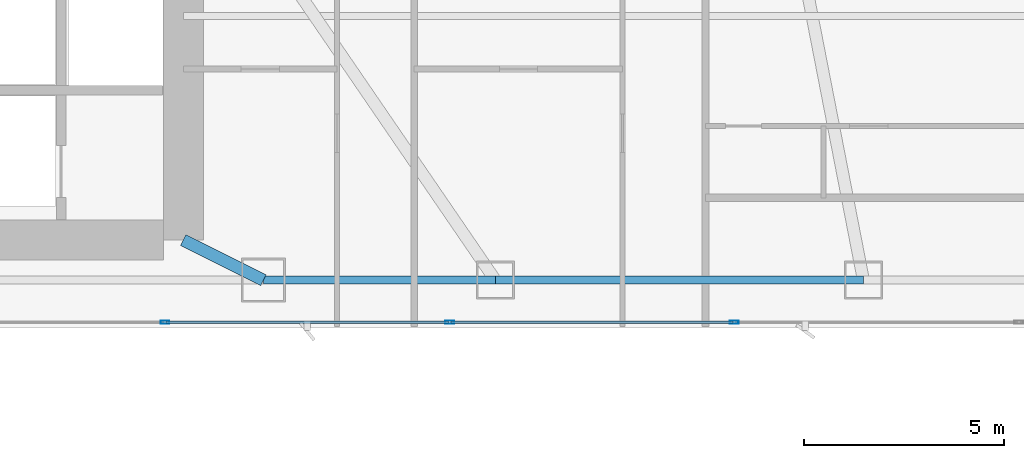
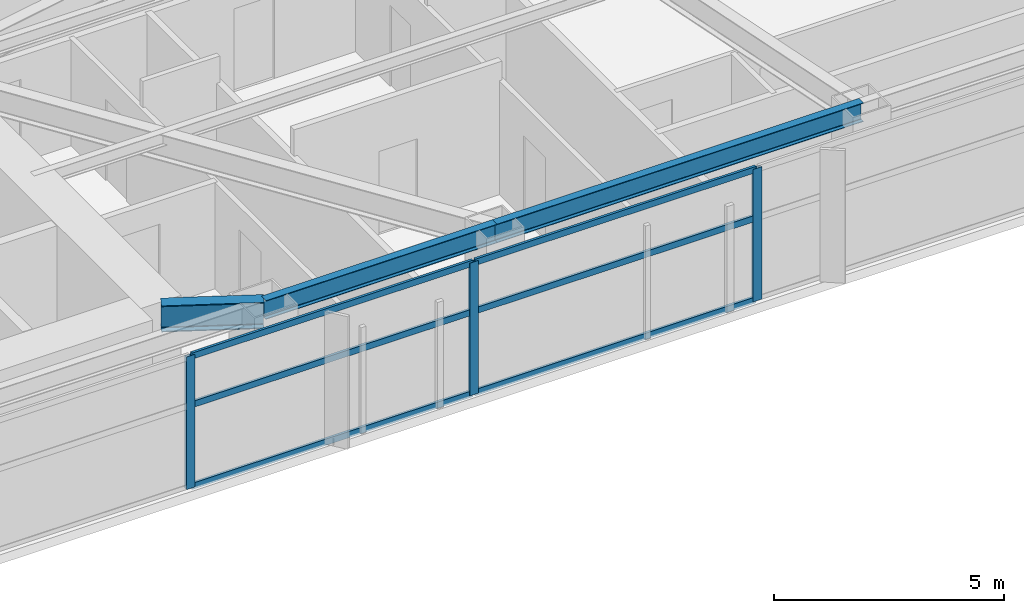
# One storey, part 11 of 28: 9 members, 3 beams, 1 element without a shape of its own.
"""IFC4 building model written with IfcOpenShell, lengths in metres."""

from ifc_helpers import new_model, si_unit, direction, frame, origin, origin_2d, place, context, subcontext, project, spatial, hollow_rectangle, i_section, extrude, material, layer, layer_set, material_profile, profile_set, type_object, element, aggregate, save


model = new_model("IFC4")

# Units and contexts
model_context = context("Model", 3, precision=1e-05, world=origin(), true_north=direction((0.0, 1.0)))
body_context = subcontext(model_context, "Body", "Model", "MODEL_VIEW")
ifc_project = project(units=[si_unit("LENGTHUNIT", "METRE"), si_unit("AREAUNIT", "SQUARE_METRE"), si_unit("VOLUMEUNIT", "CUBIC_METRE"), si_unit("PLANEANGLEUNIT", "RADIAN"), si_unit("MASSUNIT", "GRAM", prefix="KILO")], contexts=[model_context])

# Site, building, storey
site_placement = place(None, origin())
site = spatial("IfcSite", under=ifc_project, at=site_placement, CompositionType="ELEMENT")
building_placement = place(site_placement, origin())
building = spatial("IfcBuilding", under=site, at=building_placement, Name="Calvorn Quay Hotel", CompositionType="ELEMENT")
storey_placement = place(building_placement, frame((0.0, 0.0, 88.800048828125)))
storey = spatial("IfcBuildingStorey", under=building, at=storey_placement, Name="L21", CompositionType="ELEMENT", Elevation=88.800048828125)

# Beams
ifc_material_1 = material(Name="Steel Q390GJC", Category="steel")
ifc_material_profile_1 = material_profile(ifc_material_1, i_section(OverallWidth=0.300048828125, OverallDepth=0.699951171875, WebThickness=0.012939453125, FlangeThickness=0.02392578125, FilletRadius=0.02392578125, at=origin_2d()), Name="HN700x300x13x24")
ifc_profile_set_1 = profile_set([ifc_material_profile_1], Name="Steel Q390GJC")
beam_type_1 = type_object("IfcBeamType", Name="BM-GIRD-MAIN", PredefinedType="BEAM", material=ifc_profile_set_1)
beam_1_placement = place(storey_placement, frame((34.39990234375, 3.60009765625, 3.169921875), z_axis=(-0.894427191, 0.4472135955, 0.0), x_axis=(-0.4472135955, -0.894427191, 0.0)))
element("IfcBeam", 1, at=beam_1_placement, inside=storey, type_object=beam_type_1, Name="Beam BG-L21-S3", PredefinedType="BEAM", context=body_context, shape_type="SweptSolid", body=[
    extrude(i_section(OverallWidth=0.300048828125, OverallDepth=0.699951171875, WebThickness=0.012939453125, FlangeThickness=0.02392578125, FilletRadius=0.02392578125, at=origin_2d()), origin(), (0.0, 0.0, 1.0), 2.236083984375),
])
ifc_material_2 = material(Name="Steel Q355B", Category="steel")
ifc_material_profile_2 = material_profile(ifc_material_2, i_section(OverallWidth=0.199951171875, OverallDepth=0.5, WebThickness=0.010009765625, FlangeThickness=0.01611328125, FilletRadius=0.01611328125, at=origin_2d()), Name="HN500x200x10x16")
ifc_profile_set_2 = profile_set([ifc_material_profile_2], Name="Steel Q355B")
beam_type_2 = type_object("IfcBeamType", Name="BM-SPANDREL-Z1", PredefinedType="SPANDREL", material=ifc_profile_set_2)
beam_2_placement = place(storey_placement, frame((34.39990234375, 3.60009765625, 3.27001953125), z_axis=(1.0, 0.0, 0.0), x_axis=(0.0, 1.0, 0.0)))
element("IfcBeam", 2, at=beam_2_placement, inside=storey, type_object=beam_type_2, Name="Beam BSP-L21-S4", PredefinedType="SPANDREL", context=body_context, shape_type="SweptSolid", body=[
    extrude(i_section(OverallWidth=0.199951171875, OverallDepth=0.5, WebThickness=0.010009765625, FlangeThickness=0.01611328125, FilletRadius=0.01611328125, at=origin_2d()), origin(), (0.0, 0.0, 1.0), 5.800048828125),
])
beam_3_placement = place(storey_placement, frame((40.199951171875, 3.60009765625, 3.27001953125), z_axis=(1.0, 0.0, 0.0), x_axis=(0.0, 1.0, 0.0)))
element("IfcBeam", 3, at=beam_3_placement, inside=storey, type_object=beam_type_2, Name="Beam BSP-L21-S5", PredefinedType="SPANDREL", context=body_context, shape_type="SweptSolid", body=[
    extrude(i_section(OverallWidth=0.199951171875, OverallDepth=0.5, WebThickness=0.010009765625, FlangeThickness=0.01611328125, FilletRadius=0.01611328125, at=origin_2d()), origin(), (0.0, 0.0, 1.0), 9.199951171875),
])

# Curtain wall, members
ifc_material_3 = material(Name="Pale Anodised Aluminium and Low-E Glass", Category="aluminium")
ifc_layer = layer(ifc_material_3, 0.219970703125)
ifc_layer_set = layer_set([ifc_layer], Name="CW-SYS-Z1")
curtain_wall_type = type_object("IfcCurtainWallType", Name="CW-SYS-Z1", PredefinedType="NOTDEFINED", material=ifc_layer_set)
curtain_wall_placement = place(storey_placement, origin())
curtain_wall = element("IfcCurtainWall", 4, at=curtain_wall_placement, inside=storey, type_object=curtain_wall_type, Name="Tower South Waterfront Curtain Wall (L21)", PredefinedType="NOTDEFINED")
ifc_material_4 = material(Name="Pale Anodised Aluminium 6063-T6", Category="aluminium")
ifc_material_profile_3 = material_profile(ifc_material_4, hollow_rectangle(XDim=0.074951171875, YDim=0.219970703125, WallThickness=0.00439453125, at=origin_2d()), Name="ALU-M220x75x4.5")
ifc_profile_set_3 = profile_set([ifc_material_profile_3], Name="Pale Anodised Aluminium 6063-T6")
member_type_1 = type_object("IfcMemberType", Name="CW-SYS-Z1-MUL", PredefinedType="MULLION", material=ifc_profile_set_3)
member_1_placement = place(storey_placement, frame((31.94287109375, 2.550048828125, 0.0), z_axis=(0.0, 0.0, 1.0), x_axis=(0.0, 1.0, 0.0)))
member_1 = element("IfcMember", 5, at=member_1_placement, type_object=member_type_1, Name="CW-L21-S mullion 4", PredefinedType="MULLION", context=body_context, shape_type="SweptSolid", body=[
    extrude(hollow_rectangle(XDim=0.074951171875, YDim=0.219970703125, WallThickness=0.00439453125, at=origin_2d()), origin(), (0.0, 0.0, 1.0), 3.52001953125),
])
member_2_placement = place(storey_placement, frame((39.05712890625, 2.550048828125, 0.0), z_axis=(0.0, 0.0, 1.0), x_axis=(0.0, 1.0, 0.0)))
member_2 = element("IfcMember", 6, at=member_2_placement, type_object=member_type_1, Name="CW-L21-S mullion 5", PredefinedType="MULLION", context=body_context, shape_type="SweptSolid", body=[
    extrude(hollow_rectangle(XDim=0.074951171875, YDim=0.219970703125, WallThickness=0.00439453125, at=origin_2d()), origin(), (0.0, 0.0, 1.0), 3.52001953125),
])
member_3_placement = place(storey_placement, frame((46.17138671875, 2.550048828125, 0.0), z_axis=(0.0, 0.0, 1.0), x_axis=(0.0, 1.0, 0.0)))
member_3 = element("IfcMember", 7, at=member_3_placement, type_object=member_type_1, Name="CW-L21-S mullion 6", PredefinedType="MULLION", context=body_context, shape_type="SweptSolid", body=[
    extrude(hollow_rectangle(XDim=0.074951171875, YDim=0.219970703125, WallThickness=0.00439453125, at=origin_2d()), origin(), (0.0, 0.0, 1.0), 3.52001953125),
])
ifc_material_5 = material(Name="Pale Anodised Aluminium 6063-T6", Category="aluminium")
ifc_material_profile_4 = material_profile(ifc_material_5, hollow_rectangle(XDim=0.06494140625, YDim=0.1650390625, WallThickness=0.00341796875, at=origin_2d()), Name="ALU-T165x65x3.5")
ifc_profile_set_4 = profile_set([ifc_material_profile_4], Name="Pale Anodised Aluminium 6063-T6")
member_type_2 = type_object("IfcMemberType", Name="CW-SYS-Z1-TRN", PredefinedType="USERDEFINED", material=ifc_profile_set_4)
member_4_placement = place(storey_placement, frame((31.972900390625, 2.550048828125, 0.030029296875), z_axis=(1.0, 0.0, 0.0), x_axis=(0.0, 1.0, 0.0)))
member_4 = element("IfcMember", 8, at=member_4_placement, type_object=member_type_2, Name="CW-L21-S transom 4.1", ObjectType="TRANSOM", PredefinedType="USERDEFINED", context=body_context, shape_type="SweptSolid", body=[
    extrude(hollow_rectangle(XDim=0.06494140625, YDim=0.1650390625, WallThickness=0.00341796875, at=origin_2d()), origin(), (0.0, 0.0, 1.0), 7.05419921875),
])
member_5_placement = place(storey_placement, frame((31.972900390625, 2.550048828125, 2.199951171875), z_axis=(1.0, 0.0, 0.0), x_axis=(0.0, 1.0, 0.0)))
member_5 = element("IfcMember", 9, at=member_5_placement, type_object=member_type_2, Name="CW-L21-S transom 4.2", ObjectType="TRANSOM", PredefinedType="USERDEFINED", context=body_context, shape_type="SweptSolid", body=[
    extrude(hollow_rectangle(XDim=0.06494140625, YDim=0.1650390625, WallThickness=0.00341796875, at=origin_2d()), origin(), (0.0, 0.0, 1.0), 7.05419921875),
])
member_6_placement = place(storey_placement, frame((31.972900390625, 2.550048828125, 3.489990234375), z_axis=(1.0, 0.0, 0.0), x_axis=(0.0, 1.0, 0.0)))
member_6 = element("IfcMember", 10, at=member_6_placement, type_object=member_type_2, Name="CW-L21-S transom 4.3", ObjectType="TRANSOM", PredefinedType="USERDEFINED", context=body_context, shape_type="SweptSolid", body=[
    extrude(hollow_rectangle(XDim=0.06494140625, YDim=0.1650390625, WallThickness=0.00341796875, at=origin_2d()), origin(), (0.0, 0.0, 1.0), 7.05419921875),
])
member_7_placement = place(storey_placement, frame((39.087158203125, 2.550048828125, 0.030029296875), z_axis=(1.0, 0.0, 0.0), x_axis=(0.0, 1.0, 0.0)))
member_7 = element("IfcMember", 11, at=member_7_placement, type_object=member_type_2, Name="CW-L21-S transom 5.1", ObjectType="TRANSOM", PredefinedType="USERDEFINED", context=body_context, shape_type="SweptSolid", body=[
    extrude(hollow_rectangle(XDim=0.06494140625, YDim=0.1650390625, WallThickness=0.00341796875, at=origin_2d()), origin(), (0.0, 0.0, 1.0), 7.05419921875),
])
member_8_placement = place(storey_placement, frame((39.087158203125, 2.550048828125, 2.199951171875), z_axis=(1.0, 0.0, 0.0), x_axis=(0.0, 1.0, 0.0)))
member_8 = element("IfcMember", 12, at=member_8_placement, type_object=member_type_2, Name="CW-L21-S transom 5.2", ObjectType="TRANSOM", PredefinedType="USERDEFINED", context=body_context, shape_type="SweptSolid", body=[
    extrude(hollow_rectangle(XDim=0.06494140625, YDim=0.1650390625, WallThickness=0.00341796875, at=origin_2d()), origin(), (0.0, 0.0, 1.0), 7.05419921875),
])
member_9_placement = place(storey_placement, frame((39.087158203125, 2.550048828125, 3.489990234375), z_axis=(1.0, 0.0, 0.0), x_axis=(0.0, 1.0, 0.0)))
member_9 = element("IfcMember", 13, at=member_9_placement, type_object=member_type_2, Name="CW-L21-S transom 5.3", ObjectType="TRANSOM", PredefinedType="USERDEFINED", context=body_context, shape_type="SweptSolid", body=[
    extrude(hollow_rectangle(XDim=0.06494140625, YDim=0.1650390625, WallThickness=0.00341796875, at=origin_2d()), origin(), (0.0, 0.0, 1.0), 7.05419921875),
])
aggregate(curtain_wall, [member_1, member_2, member_3, member_4, member_5, member_6, member_7, member_8, member_9])

save(model, "model.ifc")
